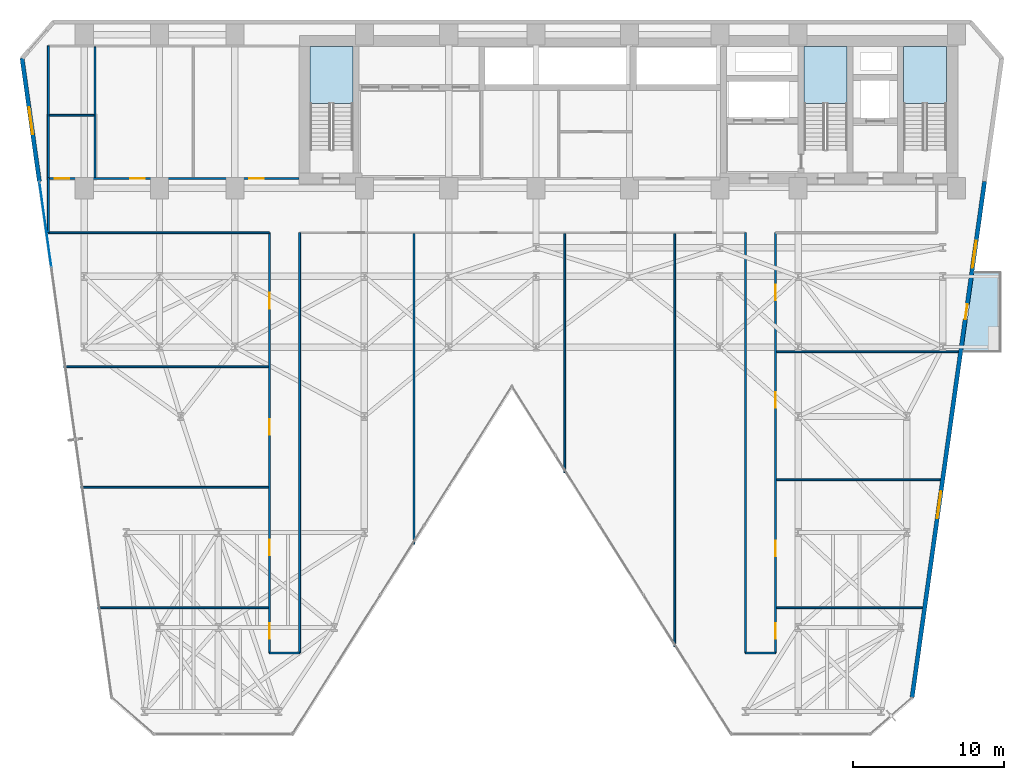
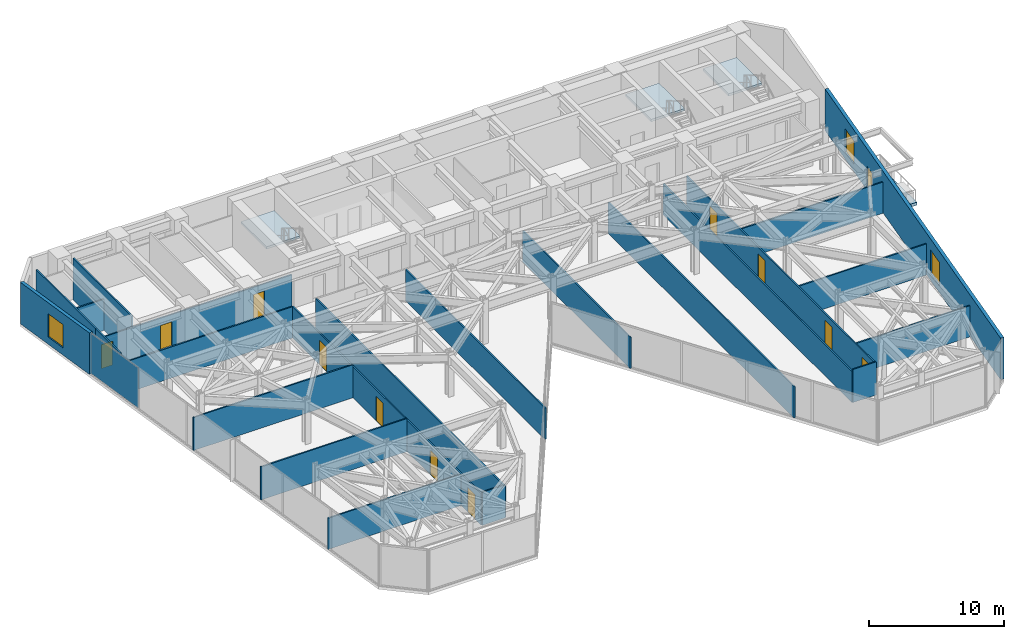
# One storey, part 19 of 25: 23 walls, 12 doors, 4 slabs, 3 windows, 1 plate, 15 openings, 4 elements without a shape of their own.
"""IFC4 building model written with IfcOpenShell, lengths in metres."""

from ifc_helpers import new_model, si_unit, direction, frame, frame_2d, origin, origin_2d, place, context, subcontext, project, spatial, polyline, rectangle, outline, extrude, material, layer, layer_set, type_object, element, fill, aggregate, save


model = new_model("IFC4")

# Units and contexts
model_context = context("Model", 3, precision=1e-05, world=origin(), true_north=direction((0.0, 1.0)))
body_context = subcontext(model_context, "Body", "Model", "MODEL_VIEW")
ifc_project = project(units=[si_unit("LENGTHUNIT", "METRE"), si_unit("AREAUNIT", "SQUARE_METRE"), si_unit("VOLUMEUNIT", "CUBIC_METRE"), si_unit("PLANEANGLEUNIT", "RADIAN"), si_unit("MASSUNIT", "GRAM", prefix="KILO")], contexts=[model_context])

# Site, building, storey
site_placement = place(None, origin())
site = spatial("IfcSite", under=ifc_project, at=site_placement, CompositionType="ELEMENT")
building_placement = place(site_placement, origin())
building = spatial("IfcBuilding", under=site, at=building_placement, Name="Kravanh Interchange Tower", CompositionType="ELEMENT")
storey_placement = place(building_placement, frame((0.0, 0.0, 57.5)))
storey = spatial("IfcBuildingStorey", under=building, at=storey_placement, Name="L13", CompositionType="ELEMENT", Elevation=57.5)

# Stair, slab
ifc_material_1 = material(Name="Concrete C50/60", Category="concrete")
stair_type = type_object("IfcStairType", Name="Core Fire Exit Dogleg Stair Concrete C50/60", PredefinedType="HALF_TURN_STAIR", material=ifc_material_1)
stair_1_placement = place(storey_placement, origin())
stair_1 = element("IfcStair", 1, at=stair_1_placement, inside=storey, type_object=stair_type, Name="L13 Exit Stair ST1", PredefinedType="HALF_TURN_STAIR")
ifc_material_2 = material(Name="Concrete C50/60", Category="concrete")
ifc_layer_1 = layer(ifc_material_2, 0.199951171875)
ifc_layer_set_1 = layer_set([ifc_layer_1], Name="Concrete C50/60 Stair Half-Landing Slab 200mm")
slab_type_1 = type_object("IfcSlabType", Name="Concrete C50/60 Stair Half-Landing Slab 200mm", PredefinedType="LANDING", material=ifc_layer_set_1)
slab_1_placement = place(storey_placement, frame((0.0, 0.0, 1.800048828125)))
slab_1 = element("IfcSlab", 2, at=slab_1_placement, type_object=slab_type_1, Name="ST1 landing 1", PredefinedType="LANDING", context=body_context, shape_type="SweptSolid", body=[
    extrude(outline(polyline([(65.85009765625, 42.97998046875), (65.85009765625, 46.75), (63.0, 46.75), (63.0, 42.97998046875), (65.85009765625, 42.97998046875)])), origin(), (0.0, 0.0, 1.0), 0.199951171875),
])
aggregate(stair_1, [slab_1])

stair_2_placement = place(storey_placement, origin())
stair_2 = element("IfcStair", 3, at=stair_2_placement, inside=storey, type_object=stair_type, Name="L13 Exit Stair ST2", PredefinedType="HALF_TURN_STAIR")
slab_2_placement = place(storey_placement, frame((0.0, 0.0, 1.800048828125)))
slab_2 = element("IfcSlab", 4, at=slab_2_placement, type_object=slab_type_1, Name="ST2 landing 1", PredefinedType="LANDING", context=body_context, shape_type="SweptSolid", body=[
    extrude(outline(polyline([(59.25, 42.97998046875), (59.25, 46.75), (56.39990234375, 46.75), (56.39990234375, 42.97998046875), (59.25, 42.97998046875)])), origin(), (0.0, 0.0, 1.0), 0.199951171875),
])
aggregate(stair_2, [slab_2])

stair_3_placement = place(storey_placement, origin())
stair_3 = element("IfcStair", 5, at=stair_3_placement, inside=storey, type_object=stair_type, Name="L13 Exit Stair ST3", PredefinedType="HALF_TURN_STAIR")
slab_3_placement = place(storey_placement, frame((0.0, 0.0, 1.800048828125)))
slab_3 = element("IfcSlab", 6, at=slab_3_placement, type_object=slab_type_1, Name="ST3 landing 1", PredefinedType="LANDING", context=body_context, shape_type="SweptSolid", body=[
    extrude(outline(polyline([(26.449951171875, 42.97998046875), (26.449951171875, 46.75), (23.60009765625, 46.75), (23.60009765625, 42.97998046875), (26.449951171875, 42.97998046875)])), origin(), (0.0, 0.0, 1.0), 0.199951171875),
])
aggregate(stair_3, [slab_3])

# Slab
ifc_material_3 = material(Name="Concrete C50/60", Category="concrete")
ifc_layer_2 = layer(ifc_material_3, 0.199951171875)
ifc_layer_set_2 = layer_set([ifc_layer_2], Name="Planted Tree Balcony Slab Concrete C50/60 200mm")
slab_type_2 = type_object("IfcSlabType", Name="Planted Tree Balcony Slab Concrete C50/60 200mm", PredefinedType="USERDEFINED", material=ifc_layer_set_2)
slab_4_placement = place(storey_placement, frame((0.0, 0.0, -0.260009765625)))
element("IfcSlab", 7, at=slab_4_placement, inside=storey, type_object=slab_type_2, Name="L13 East Tree Planter Balcony Slab", ObjectType="BALCONY", PredefinedType="USERDEFINED", context=body_context, shape_type="SweptSolid", body=[
    extrude(outline(polyline([(69.489990234375, 31.830078125), (69.489990234375, 26.429931640625), (66.913330078125, 26.429931640625), (67.67236328125, 31.830078125), (69.489990234375, 31.830078125)])), origin(), (0.0, 0.0, 1.0), 0.260009765625),
])

# Curtain wall, plate
ifc_material_4 = material(Name="Anodised Bronze Aluminium", Category="aluminium")
ifc_layer_3 = layer(ifc_material_4, 0.179931640625)
ifc_layer_set_3 = layer_set([ifc_layer_3], Name="Unitised Curtain Wall System CW-Z1 Lower Office")
curtain_wall_type = type_object("IfcCurtainWallType", Name="Unitised Curtain Wall System CW-Z1 Lower Office", PredefinedType="NOTDEFINED", material=ifc_layer_set_3)
curtain_wall_placement = place(storey_placement, origin())
curtain_wall = element("IfcCurtainWall", 8, at=curtain_wall_placement, inside=storey, type_object=curtain_wall_type, Name="L13 Unitised Curtain Wall CW-L13-01", PredefinedType="NOTDEFINED")
ifc_material_5 = material(Name="Low-E Laminated Architectural Glass", Category="glass")
ifc_layer_4 = layer(ifc_material_5, 0.028076171875)
ifc_layer_set_4 = layer_set([ifc_layer_4], Name="Solar-Control Double Glazing 28mm")
plate_type = type_object("IfcPlateType", Name="Solar-Control Double Glazing 28mm", PredefinedType="CURTAIN_PANEL", material=ifc_layer_set_4)
plate_placement = place(storey_placement, frame((6.028564453125, 34.927490234375, 0.06005859375), z_axis=(0.0, 0.0, 1.0), x_axis=(-0.139176538065, 0.990267585682, 0.0)))
plate = element("IfcPlate", 9, at=plate_placement, type_object=plate_type, Name="CW-Z1 panel 6.1", PredefinedType="CURTAIN_PANEL", context=body_context, shape_type="SweptSolid", body=[
    extrude(rectangle(XDim=5.66162109375, YDim=0.028076171875, at=origin_2d()), origin(), (0.0, 0.0, 1.0), 3.6201171875),
])
aggregate(curtain_wall, [plate])

# Wall, openings, doors
ifc_material_6 = material(Name="Double Acoustic Gypsum Board and Mineral Wool")
ifc_layer_5 = layer(ifc_material_6, 0.1201171875)
ifc_layer_set_5 = layer_set([ifc_layer_5], Name="Acoustic Office Drywall Partition 120mm")
wall_type_1 = type_object("IfcWallType", Name="Acoustic Office Drywall Partition 120mm", PredefinedType="PARTITIONING", material=ifc_layer_set_5)
wall_1_placement = place(storey_placement, frame((6.219970703125, 38.0, 0.0), z_axis=(0.0, 0.0, 1.0), x_axis=(1.0, 0.0, 0.0)))
wall_1 = element("IfcWall", 10, at=wall_1_placement, inside=storey, type_object=wall_type_1, Name="L13 Restroom Corridor Wall 7", PredefinedType="PARTITIONING", context=body_context, shape_type="SweptSolid", body=[
    extrude(rectangle(XDim=16.630126953125, YDim=0.1201171875, at=frame_2d((8.31494140625, 0.0))), origin(), (0.0, 0.0, 1.0), 2.81298828125),
])
opening_1_placement = place(wall_1_placement, frame((0.424072265625, 0.0, 0.0)))
opening_1 = element("IfcOpeningElement", 11, at=opening_1_placement, cuts=wall_1, Name="Opening D-95", PredefinedType="OPENING", context=body_context, shape_type="SweptSolid", body=[
    extrude(rectangle(XDim=0.949951171875, YDim=2.14990234375, at=frame_2d((0.47509765625, 1.074951171875))), frame((0.0, 0.070068359375, 0.0), z_axis=(0.0, -1.0, 0.0), x_axis=(1.0, 0.0, 0.0)), (0.0, 0.0, 1.0), 0.14013671875),
])
opening_2_placement = place(wall_1_placement, frame((5.444091796875, 0.0, 0.0)))
opening_2 = element("IfcOpeningElement", 12, at=opening_2_placement, cuts=wall_1, Name="Opening D-95", PredefinedType="OPENING", context=body_context, shape_type="SweptSolid", body=[
    extrude(rectangle(XDim=0.949951171875, YDim=2.14990234375, at=frame_2d((0.47509765625, 1.074951171875))), frame((0.0, 0.070068359375, 0.0), z_axis=(0.0, -1.0, 0.0), x_axis=(1.0, 0.0, 0.0)), (0.0, 0.0, 1.0), 0.14013671875),
])
opening_3_placement = place(wall_1_placement, frame((13.343994140625, 0.0, 0.0)))
opening_3 = element("IfcOpeningElement", 13, at=opening_3_placement, cuts=wall_1, Name="Opening D-95", PredefinedType="OPENING", context=body_context, shape_type="SweptSolid", body=[
    extrude(rectangle(XDim=0.949951171875, YDim=2.14990234375, at=frame_2d((0.47509765625, 1.074951171875))), frame((0.0, 0.070068359375, 0.0), z_axis=(0.0, -1.0, 0.0), x_axis=(1.0, 0.0, 0.0)), (0.0, 0.0, 1.0), 0.14013671875),
])
ifc_material_7 = material(Name="Laminate Solid-Core Timber", Category="wood")
door_type_1 = type_object("IfcDoorType", Name="Accessible Restroom Door 950x2150", OperationType="NOTDEFINED", PredefinedType="DOOR", material=ifc_material_7)
door_1_placement = place(opening_1_placement, origin())
door_1 = element("IfcDoor", 14, at=door_1_placement, inside=storey, type_object=door_type_1, Name="L13 Accessible WC Door", OperationType="SINGLE_SWING_LEFT", OverallHeight=2.14990234375, OverallWidth=0.949951171875, PredefinedType="DOOR", context=body_context, shape_type="SweptSolid", body=[
    extrude(rectangle(XDim=0.949951171875, YDim=2.14990234375, at=frame_2d((0.47509765625, 1.074951171875))), frame((0.0, 0.02490234375, 0.0), z_axis=(0.0, -1.0, 0.0), x_axis=(1.0, 0.0, 0.0)), (0.0, 0.0, 1.0), 0.050048828125),
])
fill(opening_1, door_1)
door_2_placement = place(opening_2_placement, origin())
door_2 = element("IfcDoor", 15, at=door_2_placement, inside=storey, type_object=door_type_1, Name="L13 Female WC Door", OperationType="SINGLE_SWING_RIGHT", OverallHeight=2.14990234375, OverallWidth=0.949951171875, PredefinedType="DOOR", context=body_context, shape_type="SweptSolid", body=[
    extrude(rectangle(XDim=0.949951171875, YDim=2.14990234375, at=frame_2d((0.47509765625, 1.074951171875))), frame((0.0, 0.02490234375, 0.0), z_axis=(0.0, -1.0, 0.0), x_axis=(1.0, 0.0, 0.0)), (0.0, 0.0, 1.0), 0.050048828125),
])
fill(opening_2, door_2)
door_3_placement = place(opening_3_placement, origin())
door_3 = element("IfcDoor", 16, at=door_3_placement, inside=storey, type_object=door_type_1, Name="L13 Male WC Door", OperationType="SINGLE_SWING_LEFT", OverallHeight=2.14990234375, OverallWidth=0.949951171875, PredefinedType="DOOR", context=body_context, shape_type="SweptSolid", body=[
    extrude(rectangle(XDim=0.949951171875, YDim=2.14990234375, at=frame_2d((0.47509765625, 1.074951171875))), frame((0.0, 0.02490234375, 0.0), z_axis=(0.0, -1.0, 0.0), x_axis=(1.0, 0.0, 0.0)), (0.0, 0.0, 1.0), 0.050048828125),
])
fill(opening_3, door_3)

# Walls
wall_2_placement = place(storey_placement, frame((6.219970703125, 38.0, 0.0), z_axis=(0.0, 0.0, 1.0), x_axis=(0.0, 1.0, 0.0)))
element("IfcWall", 17, at=wall_2_placement, inside=storey, type_object=wall_type_1, Name="L13 Restroom West Enclosure 8", PredefinedType="PARTITIONING", context=body_context, shape_type="SweptSolid", body=[
    extrude(rectangle(XDim=8.800048828125, YDim=0.1201171875, at=frame_2d((4.39990234375, 0.0))), origin(), (0.0, 0.0, 1.0), 3.739990234375),
])
wall_3_placement = place(storey_placement, frame((9.320068359375, 38.068115234375, 0.0), z_axis=(0.0, 0.0, 1.0), x_axis=(0.0, 1.0, 0.0)))
element("IfcWall", 18, at=wall_3_placement, inside=storey, type_object=wall_type_1, Name="L13 Interior Partition 10", PredefinedType="PARTITIONING", context=body_context, shape_type="SweptSolid", body=[
    extrude(rectangle(XDim=8.663818359375, YDim=0.1201171875, at=frame_2d((4.33203125, 0.0))), origin(), (0.0, 0.0, 1.0), 3.739990234375),
])
wall_4_placement = place(storey_placement, frame((6.2880859375, 42.199951171875, 0.0), z_axis=(0.0, 0.0, 1.0), x_axis=(1.0, 0.0, 0.0)))
element("IfcWall", 19, at=wall_4_placement, inside=storey, type_object=wall_type_1, Name="L13 Interior Partition 12", PredefinedType="PARTITIONING", context=body_context, shape_type="SweptSolid", body=[
    extrude(rectangle(XDim=2.9638671875, YDim=0.1201171875, at=frame_2d((1.48193359375, 0.0))), origin(), (0.0, 0.0, 1.0), 2.81298828125),
])
wall_5_placement = place(storey_placement, frame((6.219970703125, 34.39990234375, 0.0), z_axis=(0.0, 0.0, 1.0), x_axis=(1.0, 0.0, 0.0)))
element("IfcWall", 20, at=wall_5_placement, inside=storey, type_object=wall_type_1, Name="L13 Interior Partition 13", PredefinedType="PARTITIONING", context=body_context, shape_type="SweptSolid", body=[
    extrude(rectangle(XDim=14.679931640625, YDim=0.1201171875, at=frame_2d((7.33984375, 0.0))), origin(), (0.0, 0.0, 1.0), 2.81298828125),
])
wall_6_placement = place(storey_placement, frame((6.219970703125, 34.39990234375, 0.0), z_axis=(0.0, 0.0, 1.0), x_axis=(0.0, 1.0, 0.0)))
element("IfcWall", 21, at=wall_6_placement, inside=storey, type_object=wall_type_1, Name="L13 Interior Partition 16", PredefinedType="PARTITIONING", context=body_context, shape_type="SweptSolid", body=[
    extrude(rectangle(XDim=3.650146484375, YDim=0.1201171875, at=frame_2d((1.8251953125, 0.0))), origin(), (0.0, 0.0, 1.0), 3.739990234375),
])

# Wall, openings, doors
wall_7_placement = place(storey_placement, frame((20.89990234375, 6.5, 0.0), z_axis=(0.0, 0.0, 1.0), x_axis=(0.0, 1.0, 0.0)))
wall_7 = element("IfcWall", 22, at=wall_7_placement, inside=storey, type_object=wall_type_1, Name="L13 Interior Partition 18", PredefinedType="PARTITIONING", context=body_context, shape_type="SweptSolid", body=[
    extrude(rectangle(XDim=27.89990234375, YDim=0.1201171875, at=frame_2d((13.949951171875, 0.0))), origin(), (0.0, 0.0, 1.0), 2.81298828125),
])
opening_4_placement = place(wall_7_placement, frame((0.93310546875, 0.0, 0.0)))
opening_4 = element("IfcOpeningElement", 23, at=opening_4_placement, cuts=wall_7, Name="Opening D-105", PredefinedType="OPENING", context=body_context, shape_type="SweptSolid", body=[
    extrude(rectangle(XDim=1.050048828125, YDim=2.199951171875, at=frame_2d((0.52490234375, 1.10009765625))), frame((0.0, 0.070068359375, 0.0), z_axis=(0.0, -1.0, 0.0), x_axis=(1.0, 0.0, 0.0)), (0.0, 0.0, 1.0), 0.14013671875),
])
opening_5_placement = place(wall_7_placement, frame((6.47509765625, 0.0, 0.0)))
opening_5 = element("IfcOpeningElement", 24, at=opening_5_placement, cuts=wall_7, Name="Opening D-105", PredefinedType="OPENING", context=body_context, shape_type="SweptSolid", body=[
    extrude(rectangle(XDim=1.050048828125, YDim=2.199951171875, at=frame_2d((0.52490234375, 1.10009765625))), frame((0.0, 0.070068359375, 0.0), z_axis=(0.0, -1.0, 0.0), x_axis=(1.0, 0.0, 0.0)), (0.0, 0.0, 1.0), 0.14013671875),
])
opening_6_placement = place(wall_7_placement, frame((14.47509765625, 0.0, 0.0)))
opening_6 = element("IfcOpeningElement", 25, at=opening_6_placement, cuts=wall_7, Name="Opening D-105", PredefinedType="OPENING", context=body_context, shape_type="SweptSolid", body=[
    extrude(rectangle(XDim=1.050048828125, YDim=2.199951171875, at=frame_2d((0.52490234375, 1.10009765625))), frame((0.0, 0.070068359375, 0.0), z_axis=(0.0, -1.0, 0.0), x_axis=(1.0, 0.0, 0.0)), (0.0, 0.0, 1.0), 0.14013671875),
])
opening_7_placement = place(wall_7_placement, frame((22.860107421875, 0.0, 0.0)))
opening_7 = element("IfcOpeningElement", 26, at=opening_7_placement, cuts=wall_7, Name="Opening D-105", PredefinedType="OPENING", context=body_context, shape_type="SweptSolid", body=[
    extrude(rectangle(XDim=1.050048828125, YDim=2.199951171875, at=frame_2d((0.52490234375, 1.10009765625))), frame((0.0, 0.070068359375, 0.0), z_axis=(0.0, -1.0, 0.0), x_axis=(1.0, 0.0, 0.0)), (0.0, 0.0, 1.0), 0.14013671875),
])
ifc_material_8 = material(Name="Acoustic Glazed Oak and Aluminium", Category="aluminium")
door_type_2 = type_object("IfcDoorType", Name="Office Workplace Door 1050x2200", OperationType="NOTDEFINED", PredefinedType="DOOR", material=ifc_material_8)
door_4_placement = place(opening_4_placement, origin())
door_4 = element("IfcDoor", 27, at=door_4_placement, inside=storey, type_object=door_type_2, Name="L13 SW Research Study Door", OperationType="SINGLE_SWING_RIGHT", OverallHeight=2.199951171875, OverallWidth=1.050048828125, PredefinedType="DOOR", context=body_context, shape_type="SweptSolid", body=[
    extrude(rectangle(XDim=1.050048828125, YDim=2.199951171875, at=frame_2d((0.52490234375, 1.10009765625))), frame((0.0, 0.02490234375, 0.0), z_axis=(0.0, -1.0, 0.0), x_axis=(1.0, 0.0, 0.0)), (0.0, 0.0, 1.0), 0.050048828125),
])
fill(opening_4, door_4)
door_5_placement = place(opening_5_placement, origin())
door_5 = element("IfcDoor", 28, at=door_5_placement, inside=storey, type_object=door_type_2, Name="L13 West Analyst Study Door", OperationType="SINGLE_SWING_LEFT", OverallHeight=2.199951171875, OverallWidth=1.050048828125, PredefinedType="DOOR", context=body_context, shape_type="SweptSolid", body=[
    extrude(rectangle(XDim=1.050048828125, YDim=2.199951171875, at=frame_2d((0.52490234375, 1.10009765625))), frame((0.0, 0.02490234375, 0.0), z_axis=(0.0, -1.0, 0.0), x_axis=(1.0, 0.0, 0.0)), (0.0, 0.0, 1.0), 0.050048828125),
])
fill(opening_5, door_5)
door_6_placement = place(opening_6_placement, origin())
door_6 = element("IfcDoor", 29, at=door_6_placement, inside=storey, type_object=door_type_2, Name="L13 West Balcony Office Door", OperationType="SINGLE_SWING_RIGHT", OverallHeight=2.199951171875, OverallWidth=1.050048828125, PredefinedType="DOOR", context=body_context, shape_type="SweptSolid", body=[
    extrude(rectangle(XDim=1.050048828125, YDim=2.199951171875, at=frame_2d((0.52490234375, 1.10009765625))), frame((0.0, 0.02490234375, 0.0), z_axis=(0.0, -1.0, 0.0), x_axis=(1.0, 0.0, 0.0)), (0.0, 0.0, 1.0), 0.050048828125),
])
fill(opening_6, door_6)
door_7_placement = place(opening_7_placement, origin())
door_7 = element("IfcDoor", 30, at=door_7_placement, inside=storey, type_object=door_type_2, Name="L13 NW Records Store Door", OperationType="SINGLE_SWING_LEFT", OverallHeight=2.199951171875, OverallWidth=1.050048828125, PredefinedType="DOOR", context=body_context, shape_type="SweptSolid", body=[
    extrude(rectangle(XDim=1.050048828125, YDim=2.199951171875, at=frame_2d((0.52490234375, 1.10009765625))), frame((0.0, 0.02490234375, 0.0), z_axis=(0.0, -1.0, 0.0), x_axis=(1.0, 0.0, 0.0)), (0.0, 0.0, 1.0), 0.050048828125),
])
fill(opening_7, door_7)

# Walls
wall_8_placement = place(storey_placement, frame((22.89990234375, 6.5, 0.0), z_axis=(0.0, 0.0, 1.0), x_axis=(0.0, 1.0, 0.0)))
element("IfcWall", 31, at=wall_8_placement, inside=storey, type_object=wall_type_1, Name="L13 Interior Partition 19", PredefinedType="PARTITIONING", context=body_context, shape_type="SweptSolid", body=[
    extrude(rectangle(XDim=27.89990234375, YDim=0.1201171875, at=frame_2d((13.949951171875, 0.0))), origin(), (0.0, 0.0, 1.0), 2.81298828125),
])
wall_9_placement = place(storey_placement, frame((20.89990234375, 6.5, 0.0), z_axis=(0.0, 0.0, 1.0), x_axis=(1.0, 0.0, 0.0)))
element("IfcWall", 32, at=wall_9_placement, inside=storey, type_object=wall_type_1, Name="L13 Interior Partition 20", PredefinedType="PARTITIONING", context=body_context, shape_type="SweptSolid", body=[
    extrude(rectangle(XDim=2.0, YDim=0.1201171875, at=frame_2d((1.0, 0.0))), origin(), (0.0, 0.0, 1.0), 2.97802734375),
])
wall_10_placement = place(storey_placement, frame((52.5, 6.5, 0.0), z_axis=(0.0, 0.0, 1.0), x_axis=(0.0, 1.0, 0.0)))
element("IfcWall", 33, at=wall_10_placement, inside=storey, type_object=wall_type_1, Name="L13 Interior Partition 21", PredefinedType="PARTITIONING", context=body_context, shape_type="SweptSolid", body=[
    extrude(rectangle(XDim=27.89990234375, YDim=0.1201171875, at=frame_2d((13.949951171875, 0.0))), origin(), (0.0, 0.0, 1.0), 2.81298828125),
])

# Wall, openings, doors
wall_11_placement = place(storey_placement, frame((54.5, 6.5, 0.0), z_axis=(0.0, 0.0, 1.0), x_axis=(0.0, 1.0, 0.0)))
wall_11 = element("IfcWall", 34, at=wall_11_placement, inside=storey, type_object=wall_type_1, Name="L13 Interior Partition 22", PredefinedType="PARTITIONING", context=body_context, shape_type="SweptSolid", body=[
    extrude(rectangle(XDim=27.89990234375, YDim=0.1201171875, at=frame_2d((13.949951171875, 0.0))), origin(), (0.0, 0.0, 1.0), 2.81298828125),
])
opening_8_placement = place(wall_11_placement, frame((0.93310546875, 0.0, 0.0)))
opening_8 = element("IfcOpeningElement", 35, at=opening_8_placement, cuts=wall_11, Name="Opening D-105", PredefinedType="OPENING", context=body_context, shape_type="SweptSolid", body=[
    extrude(rectangle(XDim=1.050048828125, YDim=2.199951171875, at=frame_2d((0.52490234375, 1.10009765625))), frame((0.0, 0.070068359375, 0.0), z_axis=(0.0, -1.0, 0.0), x_axis=(1.0, 0.0, 0.0)), (0.0, 0.0, 1.0), 0.14013671875),
])
opening_9_placement = place(wall_11_placement, frame((6.402587890625, 0.0, 0.0)))
opening_9 = element("IfcOpeningElement", 36, at=opening_9_placement, cuts=wall_11, Name="Opening D-105", PredefinedType="OPENING", context=body_context, shape_type="SweptSolid", body=[
    extrude(rectangle(XDim=1.050048828125, YDim=2.199951171875, at=frame_2d((0.52490234375, 1.10009765625))), frame((0.0, 0.070068359375, 0.0), z_axis=(0.0, -1.0, 0.0), x_axis=(1.0, 0.0, 0.0)), (0.0, 0.0, 1.0), 0.14013671875),
])
opening_10_placement = place(wall_11_placement, frame((16.2724609375, 0.0, 0.0)))
opening_10 = element("IfcOpeningElement", 37, at=opening_10_placement, cuts=wall_11, Name="Opening D-105", PredefinedType="OPENING", context=body_context, shape_type="SweptSolid", body=[
    extrude(rectangle(XDim=1.050048828125, YDim=2.199951171875, at=frame_2d((0.52490234375, 1.10009765625))), frame((0.0, 0.070068359375, 0.0), z_axis=(0.0, -1.0, 0.0), x_axis=(1.0, 0.0, 0.0)), (0.0, 0.0, 1.0), 0.14013671875),
])
opening_11_placement = place(wall_11_placement, frame((23.39990234375, 0.0, 0.0)))
opening_11 = element("IfcOpeningElement", 38, at=opening_11_placement, cuts=wall_11, Name="Opening D-105", PredefinedType="OPENING", context=body_context, shape_type="SweptSolid", body=[
    extrude(rectangle(XDim=1.050048828125, YDim=2.199951171875, at=frame_2d((0.52490234375, 1.10009765625))), frame((0.0, 0.070068359375, 0.0), z_axis=(0.0, -1.0, 0.0), x_axis=(1.0, 0.0, 0.0)), (0.0, 0.0, 1.0), 0.14013671875),
])
door_8_placement = place(opening_8_placement, origin())
door_8 = element("IfcDoor", 39, at=door_8_placement, inside=storey, type_object=door_type_2, Name="L13 SE Legal Study Door", OperationType="SINGLE_SWING_LEFT", OverallHeight=2.199951171875, OverallWidth=1.050048828125, PredefinedType="DOOR", context=body_context, shape_type="SweptSolid", body=[
    extrude(rectangle(XDim=1.050048828125, YDim=2.199951171875, at=frame_2d((0.52490234375, 1.10009765625))), frame((0.0, 0.02490234375, 0.0), z_axis=(0.0, -1.0, 0.0), x_axis=(1.0, 0.0, 0.0)), (0.0, 0.0, 1.0), 0.050048828125),
])
fill(opening_8, door_8)
door_9_placement = place(opening_9_placement, origin())
door_9 = element("IfcDoor", 40, at=door_9_placement, inside=storey, type_object=door_type_2, Name="L13 East Policy Study Door", OperationType="SINGLE_SWING_LEFT", OverallHeight=2.199951171875, OverallWidth=1.050048828125, PredefinedType="DOOR", context=body_context, shape_type="SweptSolid", body=[
    extrude(rectangle(XDim=1.050048828125, YDim=2.199951171875, at=frame_2d((0.52490234375, 1.10009765625))), frame((0.0, 0.02490234375, 0.0), z_axis=(0.0, -1.0, 0.0), x_axis=(1.0, 0.0, 0.0)), (0.0, 0.0, 1.0), 0.050048828125),
])
fill(opening_9, door_9)
door_10_placement = place(opening_10_placement, origin())
door_10 = element("IfcDoor", 41, at=door_10_placement, inside=storey, type_object=door_type_2, Name="L13 East Balcony Office Door", OperationType="SINGLE_SWING_RIGHT", OverallHeight=2.199951171875, OverallWidth=1.050048828125, PredefinedType="DOOR", context=body_context, shape_type="SweptSolid", body=[
    extrude(rectangle(XDim=1.050048828125, YDim=2.199951171875, at=frame_2d((0.52490234375, 1.10009765625))), frame((0.0, 0.02490234375, 0.0), z_axis=(0.0, -1.0, 0.0), x_axis=(1.0, 0.0, 0.0)), (0.0, 0.0, 1.0), 0.050048828125),
])
fill(opening_10, door_10)
door_11_placement = place(opening_11_placement, origin())
door_11 = element("IfcDoor", 42, at=door_11_placement, inside=storey, type_object=door_type_2, Name="L13 NE Archive Store Door", OperationType="SINGLE_SWING_LEFT", OverallHeight=2.199951171875, OverallWidth=1.050048828125, PredefinedType="DOOR", context=body_context, shape_type="SweptSolid", body=[
    extrude(rectangle(XDim=1.050048828125, YDim=2.199951171875, at=frame_2d((0.52490234375, 1.10009765625))), frame((0.0, 0.02490234375, 0.0), z_axis=(0.0, -1.0, 0.0), x_axis=(1.0, 0.0, 0.0)), (0.0, 0.0, 1.0), 0.050048828125),
])
fill(opening_11, door_11)

# Walls
wall_12_placement = place(storey_placement, frame((52.5, 6.5, 0.0), z_axis=(0.0, 0.0, 1.0), x_axis=(1.0, 0.0, 0.0)))
element("IfcWall", 43, at=wall_12_placement, inside=storey, type_object=wall_type_1, Name="L13 Interior Partition 23", PredefinedType="PARTITIONING", context=body_context, shape_type="SweptSolid", body=[
    extrude(rectangle(XDim=2.0, YDim=0.1201171875, at=frame_2d((1.0, 0.0))), origin(), (0.0, 0.0, 1.0), 2.97802734375),
])
wall_13_placement = place(storey_placement, frame((9.496337890625, 9.5, 0.0), z_axis=(0.0, 0.0, 1.0), x_axis=(1.0, 0.0, 0.0)))
element("IfcWall", 44, at=wall_13_placement, inside=storey, type_object=wall_type_1, Name="L13 Interior Partition 24", PredefinedType="PARTITIONING", context=body_context, shape_type="SweptSolid", body=[
    extrude(rectangle(XDim=11.335693359375, YDim=0.1201171875, at=frame_2d((5.66796875, 0.0))), origin(), (0.0, 0.0, 1.0), 2.81298828125),
])
wall_14_placement = place(storey_placement, frame((8.371826171875, 17.5, 0.0), z_axis=(0.0, 0.0, 1.0), x_axis=(1.0, 0.0, 0.0)))
element("IfcWall", 45, at=wall_14_placement, inside=storey, type_object=wall_type_1, Name="L13 Interior Partition 25", PredefinedType="PARTITIONING", context=body_context, shape_type="SweptSolid", body=[
    extrude(rectangle(XDim=12.460205078125, YDim=0.1201171875, at=frame_2d((6.22998046875, 0.0))), origin(), (0.0, 0.0, 1.0), 2.97802734375),
])
wall_15_placement = place(storey_placement, frame((7.24755859375, 25.5, 0.0), z_axis=(0.0, 0.0, 1.0), x_axis=(1.0, 0.0, 0.0)))
element("IfcWall", 46, at=wall_15_placement, inside=storey, type_object=wall_type_1, Name="L13 Interior Partition 26", PredefinedType="PARTITIONING", context=body_context, shape_type="SweptSolid", body=[
    extrude(rectangle(XDim=13.58447265625, YDim=0.1201171875, at=frame_2d((6.792236328125, 0.0))), origin(), (0.0, 0.0, 1.0), 2.97802734375),
])
wall_16_placement = place(storey_placement, frame((54.568115234375, 9.5, 0.0), z_axis=(0.0, 0.0, 1.0), x_axis=(1.0, 0.0, 0.0)))
element("IfcWall", 47, at=wall_16_placement, inside=storey, type_object=wall_type_1, Name="L13 Interior Partition 27", PredefinedType="PARTITIONING", context=body_context, shape_type="SweptSolid", body=[
    extrude(rectangle(XDim=9.6630859375, YDim=0.1201171875, at=frame_2d((4.83154296875, 0.0))), origin(), (0.0, 0.0, 1.0), 2.81298828125),
])
wall_17_placement = place(storey_placement, frame((54.568115234375, 18.0, 0.0), z_axis=(0.0, 0.0, 1.0), x_axis=(1.0, 0.0, 0.0)))
element("IfcWall", 48, at=wall_17_placement, inside=storey, type_object=wall_type_1, Name="L13 Interior Partition 28", PredefinedType="PARTITIONING", context=body_context, shape_type="SweptSolid", body=[
    extrude(rectangle(XDim=10.857666015625, YDim=0.1201171875, at=frame_2d((5.4287109375, 0.0))), origin(), (0.0, 0.0, 1.0), 2.81298828125),
])
wall_18_placement = place(storey_placement, frame((54.568115234375, 26.5, 0.0), z_axis=(0.0, 0.0, 1.0), x_axis=(1.0, 0.0, 0.0)))
element("IfcWall", 49, at=wall_18_placement, inside=storey, type_object=wall_type_1, Name="L13 Interior Partition 29", PredefinedType="PARTITIONING", context=body_context, shape_type="SweptSolid", body=[
    extrude(rectangle(XDim=12.05224609375, YDim=0.1201171875, at=frame_2d((6.026123046875, 0.0))), origin(), (0.0, 0.0, 1.0), 2.81298828125),
])
wall_19_placement = place(storey_placement, frame((30.5, 13.7177734375, 0.0), z_axis=(0.0, 0.0, 1.0), x_axis=(0.0, 1.0, 0.0)))
element("IfcWall", 50, at=wall_19_placement, inside=storey, type_object=wall_type_1, Name="L13 Interior Partition 30", PredefinedType="PARTITIONING", context=body_context, shape_type="SweptSolid", body=[
    extrude(rectangle(XDim=20.6142578125, YDim=0.1201171875, at=frame_2d((10.30712890625, 0.0))), origin(), (0.0, 0.0, 1.0), 2.81298828125),
])
wall_20_placement = place(storey_placement, frame((40.5, 18.476318359375, 0.0), z_axis=(0.0, 0.0, 1.0), x_axis=(0.0, 1.0, 0.0)))
element("IfcWall", 51, at=wall_20_placement, inside=storey, type_object=wall_type_1, Name="L13 Interior Partition 31", PredefinedType="PARTITIONING", context=body_context, shape_type="SweptSolid", body=[
    extrude(rectangle(XDim=15.855712890625, YDim=0.1201171875, at=frame_2d((7.927734375, 0.0))), origin(), (0.0, 0.0, 1.0), 2.81298828125),
])
wall_21_placement = place(storey_placement, frame((47.800048828125, 6.897216796875, 0.0), z_axis=(0.0, 0.0, 1.0), x_axis=(0.0, 1.0, 0.0)))
element("IfcWall", 52, at=wall_21_placement, inside=storey, type_object=wall_type_1, Name="L13 Interior Partition 32", PredefinedType="PARTITIONING", context=body_context, shape_type="SweptSolid", body=[
    extrude(rectangle(XDim=27.434814453125, YDim=0.1201171875, at=frame_2d((13.71728515625, 0.0))), origin(), (0.0, 0.0, 1.0), 2.81298828125),
])

# Wall, opening, window
ifc_material_9 = material(Name="Insulated Precast Concrete C40/50 with Bronze Cladding", Category="concrete")
ifc_layer_6 = layer(ifc_material_9, 0.280029296875)
ifc_layer_set_6 = layer_set([ifc_layer_6], Name="Exterior Insulated Concrete C40/50 Bronze Spandrel Wall 280mm")
wall_type_2 = type_object("IfcWallType", Name="Exterior Insulated Concrete C40/50 Bronze Spandrel Wall 280mm", PredefinedType="STANDARD", material=ifc_layer_set_6)
wall_22_placement = place(storey_placement, frame((5.625, 37.800048828125, 0.0), z_axis=(0.0, 0.0, 1.0), x_axis=(-0.139180172484, 0.990267074878, 0.0)))
wall_22 = element("IfcWall", 53, at=wall_22_placement, inside=storey, type_object=wall_type_2, Name="L13 Exterior Wall 1", PredefinedType="STANDARD", context=body_context, shape_type="SweptSolid", body=[
    extrude(rectangle(XDim=8.267333984375, YDim=0.280029296875, at=frame_2d((4.1337890625, 0.0))), origin(), (0.0, 0.0, 1.0), 3.739990234375),
])
opening_12_placement = place(wall_22_placement, frame((3.1728515625, 0.0, 0.64990234375)))
opening_12 = element("IfcOpeningElement", 54, at=opening_12_placement, cuts=wall_22, Name="Opening WN-180X210", PredefinedType="OPENING", context=body_context, shape_type="SweptSolid", body=[
    extrude(rectangle(XDim=1.800048828125, YDim=2.10009765625, at=frame_2d((0.89990234375, 1.050048828125))), frame((0.0, 0.14990234375, 0.0), z_axis=(0.0, -1.0, 0.0), x_axis=(1.0, 0.0, 0.0)), (0.0, 0.0, 1.0), 0.300048828125),
])
ifc_material_10 = material(Name="Thermally Broken Bronze Aluminium and Low-E Glass", Category="aluminium")
window_type = type_object("IfcWindowType", Name="Tower Pier Window 1800x2100", PartitioningType="SINGLE_PANEL", PredefinedType="WINDOW", material=ifc_material_10)
window_1_placement = place(opening_12_placement, origin())
window_1 = element("IfcWindow", 55, at=window_1_placement, inside=storey, type_object=window_type, Name="L13 Corner Window 1", OverallHeight=2.10009765625, OverallWidth=1.800048828125, PartitioningType="SINGLE_PANEL", PredefinedType="WINDOW", context=body_context, shape_type="SweptSolid", body=[
    extrude(rectangle(XDim=1.800048828125, YDim=2.10009765625, at=frame_2d((0.89990234375, 1.050048828125))), frame((0.0, 0.030029296875, 0.0), z_axis=(0.0, -1.0, 0.0), x_axis=(1.0, 0.0, 0.0)), (0.0, 0.0, 1.0), 0.06005859375),
])
fill(opening_12, window_1)

# Wall, openings, door, windows
wall_23_placement = place(storey_placement, frame((68.375, 37.800048828125, 0.0), z_axis=(0.0, 0.0, 1.0), x_axis=(-0.139174610616, -0.990267856572, 0.0)))
wall_23 = element("IfcWall", 56, at=wall_23_placement, inside=storey, type_object=wall_type_2, Name="L13 Exterior Wall 6", PredefinedType="STANDARD", context=body_context, shape_type="SweptSolid", body=[
    extrude(rectangle(XDim=34.599853515625, YDim=0.280029296875, at=frame_2d((17.2998046875, 0.0))), origin(), (0.0, 0.0, 1.0), 3.739990234375),
])
opening_13_placement = place(wall_23_placement, frame((8.23828125, 0.0, 0.0)))
opening_13 = element("IfcOpeningElement", 57, at=opening_13_placement, cuts=wall_23, Name="Opening ED-BAL100", PredefinedType="OPENING", context=body_context, shape_type="SweptSolid", body=[
    extrude(rectangle(XDim=1.0, YDim=2.14990234375, at=frame_2d((0.5, 1.074951171875))), frame((0.0, 0.14990234375, 0.0), z_axis=(0.0, -1.0, 0.0), x_axis=(1.0, 0.0, 0.0)), (0.0, 0.0, 1.0), 0.300048828125),
])
opening_14_placement = place(wall_23_placement, frame((3.972412109375, 0.0, 0.64990234375)))
opening_14 = element("IfcOpeningElement", 58, at=opening_14_placement, cuts=wall_23, Name="Opening WN-180X210", PredefinedType="OPENING", context=body_context, shape_type="SweptSolid", body=[
    extrude(rectangle(XDim=1.800048828125, YDim=2.10009765625, at=frame_2d((0.89990234375, 1.050048828125))), frame((0.0, 0.14990234375, 0.0), z_axis=(0.0, -1.0, 0.0), x_axis=(1.0, 0.0, 0.0)), (0.0, 0.0, 1.0), 0.300048828125),
])
opening_15_placement = place(wall_23_placement, frame((20.78271484375, 0.0, 0.64990234375)))
opening_15 = element("IfcOpeningElement", 59, at=opening_15_placement, cuts=wall_23, Name="Opening WN-180X210", PredefinedType="OPENING", context=body_context, shape_type="SweptSolid", body=[
    extrude(rectangle(XDim=1.800048828125, YDim=2.10009765625, at=frame_2d((0.89990234375, 1.050048828125))), frame((0.0, 0.14990234375, 0.0), z_axis=(0.0, -1.0, 0.0), x_axis=(1.0, 0.0, 0.0)), (0.0, 0.0, 1.0), 0.300048828125),
])
ifc_material_11 = material(Name="Thermally Broken Bronze Aluminium and Laminated Glass", Category="aluminium")
door_type_3 = type_object("IfcDoorType", Name="Balcony Glazed Door 1000x2150", OperationType="NOTDEFINED", PredefinedType="DOOR", material=ifc_material_11)
door_12_placement = place(opening_13_placement, origin())
door_12 = element("IfcDoor", 60, at=door_12_placement, inside=storey, type_object=door_type_3, Name="L13 E Tree Balcony Access Door", OperationType="SINGLE_SWING_LEFT", OverallHeight=2.14990234375, OverallWidth=1.0, PredefinedType="DOOR", context=body_context, shape_type="SweptSolid", body=[
    extrude(rectangle(XDim=1.0, YDim=2.14990234375, at=frame_2d((0.5, 1.074951171875))), frame((0.0, 0.02490234375, 0.0), z_axis=(0.0, -1.0, 0.0), x_axis=(1.0, 0.0, 0.0)), (0.0, 0.0, 1.0), 0.050048828125),
])
fill(opening_13, door_12)
window_2_placement = place(opening_14_placement, origin())
window_2 = element("IfcWindow", 61, at=window_2_placement, inside=storey, type_object=window_type, Name="L13 Facade Window 6A", OverallHeight=2.10009765625, OverallWidth=1.800048828125, PartitioningType="SINGLE_PANEL", PredefinedType="WINDOW", context=body_context, shape_type="SweptSolid", body=[
    extrude(rectangle(XDim=1.800048828125, YDim=2.10009765625, at=frame_2d((0.89990234375, 1.050048828125))), frame((0.0, 0.030029296875, 0.0), z_axis=(0.0, -1.0, 0.0), x_axis=(1.0, 0.0, 0.0)), (0.0, 0.0, 1.0), 0.06005859375),
])
fill(opening_14, window_2)
window_3_placement = place(opening_15_placement, origin())
window_3 = element("IfcWindow", 62, at=window_3_placement, inside=storey, type_object=window_type, Name="L13 Facade Window 6B", OverallHeight=2.10009765625, OverallWidth=1.800048828125, PartitioningType="SINGLE_PANEL", PredefinedType="WINDOW", context=body_context, shape_type="SweptSolid", body=[
    extrude(rectangle(XDim=1.800048828125, YDim=2.10009765625, at=frame_2d((0.89990234375, 1.050048828125))), frame((0.0, 0.030029296875, 0.0), z_axis=(0.0, -1.0, 0.0), x_axis=(1.0, 0.0, 0.0)), (0.0, 0.0, 1.0), 0.06005859375),
])
fill(opening_15, window_3)

save(model, "model.ifc")
